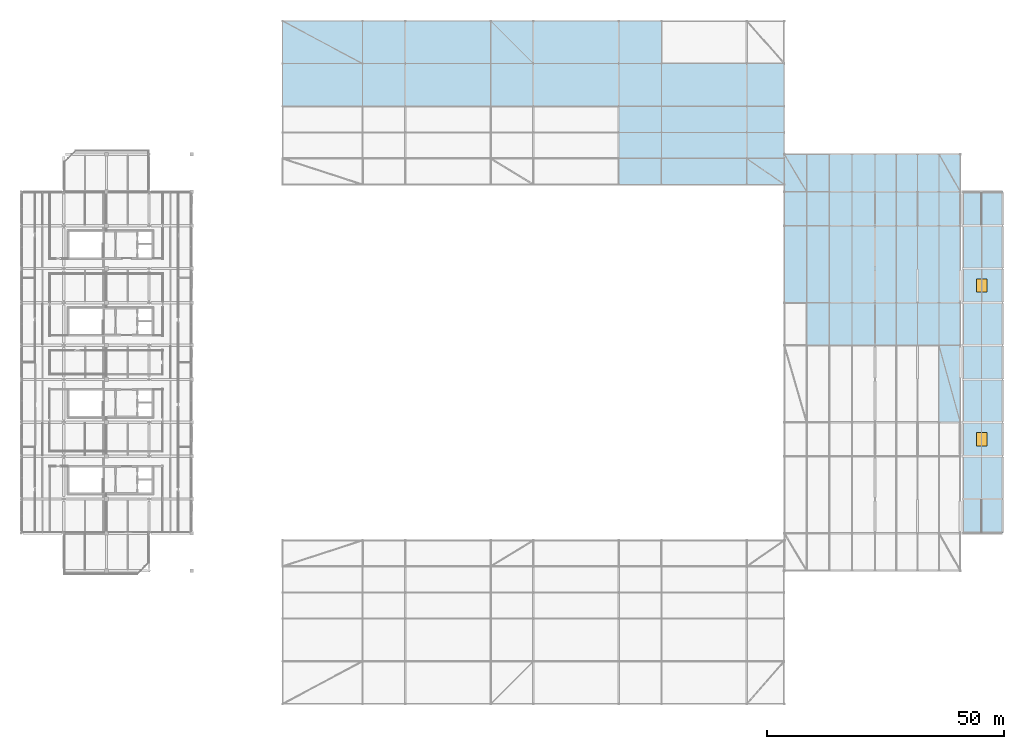
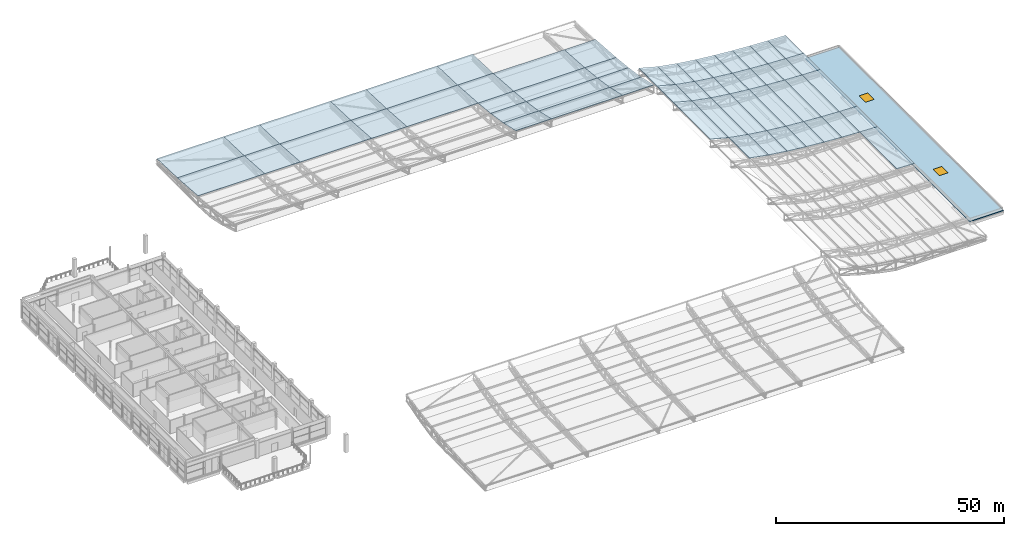
# One storey, part 90 of 114: 56 slabs, 2 windows, 2 openings.
"""IFC4 building model written with IfcOpenShell, lengths in metres."""

from ifc_helpers import new_model, si_unit, direction, frame, origin, origin_2d, place, context, subcontext, project, spatial, polyline, rectangle, outline, extrude, material, layer, layer_set, type_object, element, fill, save


model = new_model("IFC4")

# Units and contexts
model_context = context("Model", 3, precision=1e-05, world=origin(), true_north=direction((0.0, 1.0)))
body_context = subcontext(model_context, "Body", "Model", "MODEL_VIEW")
ifc_project = project(units=[si_unit("LENGTHUNIT", "METRE"), si_unit("AREAUNIT", "SQUARE_METRE"), si_unit("VOLUMEUNIT", "CUBIC_METRE"), si_unit("PLANEANGLEUNIT", "RADIAN"), si_unit("MASSUNIT", "GRAM", prefix="KILO"), si_unit("THERMODYNAMICTEMPERATUREUNIT", "KELVIN"), si_unit("POWERUNIT", "WATT")], contexts=[model_context])

# Site, building, storey
site_placement = place(None, origin())
site = spatial("IfcSite", under=ifc_project, at=site_placement, CompositionType="ELEMENT")
building_placement = place(site_placement, origin())
building = spatial("IfcBuilding", under=site, at=building_placement, Name="Sindhuravela Promenade Stadium", CompositionType="ELEMENT")
storey_placement = place(building_placement, frame((0.0, 0.0, 24.0)))
storey = spatial("IfcBuildingStorey", under=building, at=storey_placement, Name="L05", CompositionType="ELEMENT", Elevation=24.0)

# Slabs
ifc_material_1 = material(Name="Concrete M40", Category="concrete")
ifc_layer_1 = layer(ifc_material_1, 0.1298828125)
ifc_layer_set_1 = layer_set([ifc_layer_1], Name="Concrete M40")
slab_type_1 = type_object("IfcSlabType", Name="SL-CAN-130", PredefinedType="ROOF", material=ifc_layer_set_1)
slab_1_placement = place(storey_placement, frame((55.10009765625, 153.0, 1.465087890625), z_axis=(0.0, 0.03629876236799083, 0.9993409827734235), x_axis=(1.0, 0.0, 0.0)))
element("IfcSlab", 1, at=slab_1_placement, inside=storey, type_object=slab_type_1, Name="Stand canopy roof slab N bay 1.1", PredefinedType="ROOF", context=body_context, shape_type="SweptSolid", body=[
    extrude(outline(polyline([(0.0, 0.0), (0.0, -9.005935066350151), (16.89990234375, -9.005935066350151), (16.89990234375, 0.0), (0.0, 0.0)])), origin(), (0.0, 0.0, -1.0), 0.1298828125),
])
slab_2_placement = place(storey_placement, frame((55.10009765625, 144.0, 1.7919921875), z_axis=(0.0, 0.07051629490820784, 0.9975106275887082), x_axis=(1.0, 0.0, 0.0)))
element("IfcSlab", 2, at=slab_2_placement, inside=storey, type_object=slab_type_1, Name="Stand canopy roof slab N bay 1.2", PredefinedType="ROOF", context=body_context, shape_type="SweptSolid", body=[
    extrude(outline(polyline([(0.0, 0.0), (0.0, -9.022460263662337), (16.89990234375, -9.022460263662337), (16.89990234375, 0.0), (0.0, 0.0)])), origin(), (0.0, 0.0, -1.0), 0.1298828125),
])
slab_3_placement = place(storey_placement, frame((72.0, 153.0, 1.465087890625), z_axis=(0.0, 0.03629876236799083, 0.9993409827734235), x_axis=(1.0, 0.0, 0.0)))
element("IfcSlab", 3, at=slab_3_placement, inside=storey, type_object=slab_type_1, Name="Stand canopy roof slab N bay 2.1", PredefinedType="ROOF", context=body_context, shape_type="SweptSolid", body=[
    extrude(outline(polyline([(0.0, 0.0), (0.0, -9.005935066350151), (9.0, -9.005935066350151), (9.0, 0.0), (0.0, 0.0)])), origin(), (0.0, 0.0, -1.0), 0.1298828125),
])
slab_4_placement = place(storey_placement, frame((72.0, 144.0, 1.7919921875), z_axis=(0.0, 0.07051629490820784, 0.9975106275887082), x_axis=(1.0, 0.0, 0.0)))
element("IfcSlab", 4, at=slab_4_placement, inside=storey, type_object=slab_type_1, Name="Stand canopy roof slab N bay 2.2", PredefinedType="ROOF", context=body_context, shape_type="SweptSolid", body=[
    extrude(outline(polyline([(0.0, 0.0), (0.0, -9.022460263662337), (9.0, -9.022460263662337), (9.0, 0.0), (0.0, 0.0)])), origin(), (0.0, 0.0, -1.0), 0.1298828125),
])
slab_5_placement = place(storey_placement, frame((81.0, 153.0, 1.465087890625), z_axis=(0.0, 0.03629876236799083, 0.9993409827734235), x_axis=(1.0, 0.0, 0.0)))
element("IfcSlab", 5, at=slab_5_placement, inside=storey, type_object=slab_type_1, Name="Stand canopy roof slab N bay 3.1", PredefinedType="ROOF", context=body_context, shape_type="SweptSolid", body=[
    extrude(outline(polyline([(0.0, 0.0), (0.0, -9.005935066350151), (18.0, -9.005935066350151), (18.0, 0.0), (0.0, 0.0)])), origin(), (0.0, 0.0, -1.0), 0.1298828125),
])
slab_6_placement = place(storey_placement, frame((81.0, 144.0, 1.7919921875), z_axis=(0.0, 0.07051629490820784, 0.9975106275887082), x_axis=(1.0, 0.0, 0.0)))
element("IfcSlab", 6, at=slab_6_placement, inside=storey, type_object=slab_type_1, Name="Stand canopy roof slab N bay 3.2", PredefinedType="ROOF", context=body_context, shape_type="SweptSolid", body=[
    extrude(outline(polyline([(0.0, 0.0), (0.0, -9.022460263662337), (18.0, -9.022460263662337), (18.0, 0.0), (0.0, 0.0)])), origin(), (0.0, 0.0, -1.0), 0.1298828125),
])
slab_7_placement = place(storey_placement, frame((99.0, 153.0, 1.465087890625), z_axis=(0.0, 0.03629876236799083, 0.9993409827734235), x_axis=(1.0, 0.0, 0.0)))
element("IfcSlab", 7, at=slab_7_placement, inside=storey, type_object=slab_type_1, Name="Stand canopy roof slab N bay 4.1", PredefinedType="ROOF", context=body_context, shape_type="SweptSolid", body=[
    extrude(outline(polyline([(0.0, 0.0), (0.0, -9.005935066350151), (9.0, -9.005935066350151), (9.0, 0.0), (0.0, 0.0)])), origin(), (0.0, 0.0, -1.0), 0.1298828125),
])
slab_8_placement = place(storey_placement, frame((99.0, 144.0, 1.7919921875), z_axis=(0.0, 0.07051629490820784, 0.9975106275887082), x_axis=(1.0, 0.0, 0.0)))
element("IfcSlab", 8, at=slab_8_placement, inside=storey, type_object=slab_type_1, Name="Stand canopy roof slab N bay 4.2", PredefinedType="ROOF", context=body_context, shape_type="SweptSolid", body=[
    extrude(outline(polyline([(0.0, 0.0), (0.0, -9.022460263662337), (9.0, -9.022460263662337), (9.0, 0.0), (0.0, 0.0)])), origin(), (0.0, 0.0, -1.0), 0.1298828125),
])
slab_9_placement = place(storey_placement, frame((108.0, 153.0, 1.465087890625), z_axis=(0.0, 0.03629876236799083, 0.9993409827734235), x_axis=(1.0, 0.0, 0.0)))
element("IfcSlab", 9, at=slab_9_placement, inside=storey, type_object=slab_type_1, Name="Stand canopy roof slab N bay 5.1", PredefinedType="ROOF", context=body_context, shape_type="SweptSolid", body=[
    extrude(outline(polyline([(0.0, 0.0), (0.0, -9.005935066350151), (18.0, -9.005935066350151), (18.0, 0.0), (0.0, 0.0)])), origin(), (0.0, 0.0, -1.0), 0.1298828125),
])
slab_10_placement = place(storey_placement, frame((108.0, 144.0, 1.7919921875), z_axis=(0.0, 0.07051629490820784, 0.9975106275887082), x_axis=(1.0, 0.0, 0.0)))
element("IfcSlab", 10, at=slab_10_placement, inside=storey, type_object=slab_type_1, Name="Stand canopy roof slab N bay 5.2", PredefinedType="ROOF", context=body_context, shape_type="SweptSolid", body=[
    extrude(outline(polyline([(0.0, 0.0), (0.0, -9.022460263662337), (18.0, -9.022460263662337), (18.0, 0.0), (0.0, 0.0)])), origin(), (0.0, 0.0, -1.0), 0.1298828125),
])
slab_11_placement = place(storey_placement, frame((126.0, 153.0, 1.465087890625), z_axis=(0.0, 0.03629876236799083, 0.9993409827734235), x_axis=(1.0, 0.0, 0.0)))
element("IfcSlab", 11, at=slab_11_placement, inside=storey, type_object=slab_type_1, Name="Stand canopy roof slab N bay 6.1", PredefinedType="ROOF", context=body_context, shape_type="SweptSolid", body=[
    extrude(outline(polyline([(0.0, 0.0), (0.0, -9.005935066350151), (9.0, -9.005935066350151), (9.0, 0.0), (0.0, 0.0)])), origin(), (0.0, 0.0, -1.0), 0.1298828125),
])
slab_12_placement = place(storey_placement, frame((126.0, 144.0, 1.7919921875), z_axis=(0.0, 0.07051629490820784, 0.9975106275887082), x_axis=(1.0, 0.0, 0.0)))
element("IfcSlab", 12, at=slab_12_placement, inside=storey, type_object=slab_type_1, Name="Stand canopy roof slab N bay 6.2", PredefinedType="ROOF", context=body_context, shape_type="SweptSolid", body=[
    extrude(outline(polyline([(0.0, 0.0), (0.0, -9.022460263662337), (9.0, -9.022460263662337), (9.0, 0.0), (0.0, 0.0)])), origin(), (0.0, 0.0, -1.0), 0.1298828125),
])
slab_13_placement = place(storey_placement, frame((126.0, 135.0, 2.42822265625), z_axis=(0.0, 0.1065455909441987, 0.9943078180575428), x_axis=(1.0, 0.0, 0.0)))
element("IfcSlab", 13, at=slab_13_placement, inside=storey, type_object=slab_type_1, Name="Stand canopy roof slab N bay 6.3", PredefinedType="ROOF", context=body_context, shape_type="SweptSolid", body=[
    extrude(outline(polyline([(0.0, 0.0), (0.0, -5.531486226010649), (9.0, -5.531486226010649), (9.0, 0.0), (0.0, 0.0)])), origin(), (0.0, 0.0, -1.0), 0.1298828125),
])
slab_14_placement = place(storey_placement, frame((126.0, 129.5, 3.017578125), z_axis=(0.0, 0.14687168523012892, 0.9891555530237203), x_axis=(1.0, 0.0, 0.0)))
element("IfcSlab", 14, at=slab_14_placement, inside=storey, type_object=slab_type_1, Name="Stand canopy roof slab N bay 6.4", PredefinedType="ROOF", context=body_context, shape_type="SweptSolid", body=[
    extrude(outline(polyline([(0.0, 0.0), (0.0, -5.560298360745398), (9.0, -5.560298360745398), (9.0, 0.0), (0.0, 0.0)])), origin(), (0.0, 0.0, -1.0), 0.1298828125),
])
slab_15_placement = place(storey_placement, frame((126.0, 124.0, 3.834228515625), z_axis=(0.0, 0.21836583135951027, 0.9758669805330386), x_axis=(1.0, 0.0, 0.0)))
element("IfcSlab", 15, at=slab_15_placement, inside=storey, type_object=slab_type_1, Name="Stand canopy roof slab N bay 6.5", PredefinedType="ROOF", context=body_context, shape_type="SweptSolid", body=[
    extrude(outline(polyline([(0.0, 0.0), (0.0, -5.636014036457906), (9.0, -5.636014036457906), (9.0, 0.0), (0.0, 0.0)])), origin(), (0.0, 0.0, -1.0), 0.1298828125),
])
slab_16_placement = place(storey_placement, frame((135.0, 144.0, 1.7919921875), z_axis=(0.0, 0.07051629490820784, 0.9975106275887082), x_axis=(1.0, 0.0, 0.0)))
element("IfcSlab", 16, at=slab_16_placement, inside=storey, type_object=slab_type_1, Name="Stand canopy roof slab N bay 7.2", PredefinedType="ROOF", context=body_context, shape_type="SweptSolid", body=[
    extrude(outline(polyline([(0.0, 0.0), (0.0, -9.022460263662337), (18.0, -9.022460263662337), (18.0, 0.0), (0.0, 0.0)])), origin(), (0.0, 0.0, -1.0), 0.1298828125),
])
slab_17_placement = place(storey_placement, frame((135.0, 135.0, 2.42822265625), z_axis=(0.0, 0.1065455909441987, 0.9943078180575428), x_axis=(1.0, 0.0, 0.0)))
element("IfcSlab", 17, at=slab_17_placement, inside=storey, type_object=slab_type_1, Name="Stand canopy roof slab N bay 7.3", PredefinedType="ROOF", context=body_context, shape_type="SweptSolid", body=[
    extrude(outline(polyline([(0.0, 0.0), (0.0, -5.531486226010649), (18.0, -5.531486226010649), (18.0, 0.0), (0.0, 0.0)])), origin(), (0.0, 0.0, -1.0), 0.1298828125),
])
slab_18_placement = place(storey_placement, frame((135.0, 129.5, 3.017578125), z_axis=(0.0, 0.14687168523012892, 0.9891555530237203), x_axis=(1.0, 0.0, 0.0)))
element("IfcSlab", 18, at=slab_18_placement, inside=storey, type_object=slab_type_1, Name="Stand canopy roof slab N bay 7.4", PredefinedType="ROOF", context=body_context, shape_type="SweptSolid", body=[
    extrude(outline(polyline([(0.0, 0.0), (0.0, -5.560298360745398), (18.0, -5.560298360745398), (18.0, 0.0), (0.0, 0.0)])), origin(), (0.0, 0.0, -1.0), 0.1298828125),
])
slab_19_placement = place(storey_placement, frame((135.0, 124.0, 3.834228515625), z_axis=(0.0, 0.21836583135951027, 0.9758669805330386), x_axis=(1.0, 0.0, 0.0)))
element("IfcSlab", 19, at=slab_19_placement, inside=storey, type_object=slab_type_1, Name="Stand canopy roof slab N bay 7.5", PredefinedType="ROOF", context=body_context, shape_type="SweptSolid", body=[
    extrude(outline(polyline([(0.0, 0.0), (0.0, -5.636014036457906), (18.0, -5.636014036457906), (18.0, 0.0), (0.0, 0.0)])), origin(), (0.0, 0.0, -1.0), 0.1298828125),
])
slab_20_placement = place(storey_placement, frame((153.0, 144.0, 1.7919921875), z_axis=(0.0, 0.07051629490820784, 0.9975106275887082), x_axis=(1.0, 0.0, 0.0)))
element("IfcSlab", 20, at=slab_20_placement, inside=storey, type_object=slab_type_1, Name="Stand canopy roof slab N bay 8.2", PredefinedType="ROOF", context=body_context, shape_type="SweptSolid", body=[
    extrude(outline(polyline([(0.0, 0.0), (0.0, -9.022460263662337), (7.89990234375, -9.022460263662337), (7.89990234375, 0.0), (0.0, 0.0)])), origin(), (0.0, 0.0, -1.0), 0.1298828125),
])
slab_21_placement = place(storey_placement, frame((153.0, 135.0, 2.42822265625), z_axis=(0.0, 0.10654559094419869, 0.9943078180575426), x_axis=(1.0, 0.0, 0.0)))
element("IfcSlab", 21, at=slab_21_placement, inside=storey, type_object=slab_type_1, Name="Stand canopy roof slab N bay 8.3", PredefinedType="ROOF", context=body_context, shape_type="SweptSolid", body=[
    extrude(outline(polyline([(0.0, 0.0), (0.0, -5.5314862260106485), (7.89990234375, -5.5314862260106485), (7.89990234375, 0.0), (0.0, 0.0)])), origin(), (0.0, 0.0, -1.0), 0.1298828125),
])
slab_22_placement = place(storey_placement, frame((153.0, 129.5, 3.017578125), z_axis=(0.0, 0.14687168523012892, 0.9891555530237204), x_axis=(1.0, 0.0, 0.0)))
element("IfcSlab", 22, at=slab_22_placement, inside=storey, type_object=slab_type_1, Name="Stand canopy roof slab N bay 8.4", PredefinedType="ROOF", context=body_context, shape_type="SweptSolid", body=[
    extrude(outline(polyline([(0.0, 0.0), (0.0, -5.560298360745398), (7.89990234375, -5.560298360745398), (7.89990234375, 0.0), (0.0, 0.0)])), origin(), (0.0, 0.0, -1.0), 0.1298828125),
])
slab_23_placement = place(storey_placement, frame((153.0, 124.0, 3.834228515625), z_axis=(0.0, 0.21836583135951027, 0.9758669805330386), x_axis=(1.0, 0.0, 0.0)))
element("IfcSlab", 23, at=slab_23_placement, inside=storey, type_object=slab_type_1, Name="Stand canopy roof slab N bay 8.5", PredefinedType="ROOF", context=body_context, shape_type="SweptSolid", body=[
    extrude(outline(polyline([(0.0, 0.0), (0.0, -5.636014036457906), (7.89990234375, -5.636014036457906), (7.89990234375, 0.0), (0.0, 0.0)])), origin(), (0.0, 0.0, -1.0), 0.1298828125),
])
ifc_layer_2 = layer(ifc_material_1, 0.14990234375)
ifc_layer_set_2 = layer_set([ifc_layer_2], Name="Concrete M40")
slab_type_2 = type_object("IfcSlabType", Name="SL-CAN-150", PredefinedType="ROOF", material=ifc_layer_set_2)
slab_24_placement = place(storey_placement, frame((198.0, 68.39990234375, 1.485107421875), z_axis=(0.029013388526599376, 0.0, 0.9995790230322986), x_axis=(0.0, 1.0, 0.0)))
element("IfcSlab", 24, at=slab_24_placement, inside=storey, type_object=slab_type_2, Name="Stand canopy roof slab E bay 4.1", PredefinedType="ROOF", context=body_context, shape_type="SweptSolid", body=[
    extrude(outline(polyline([(0.0, 0.0), (16.2001953125, 0.0), (16.2001953125, 4.5018951941877585), (0.0, 4.5018951941877585), (0.0, 0.0)])), origin(), (0.0, 0.0, -1.0), 0.14990234375),
])
slab_25_placement = place(storey_placement, frame((198.0, 84.60009765625, 1.485107421875), z_axis=(0.02901338852659938, 0.0, 0.9995790230322986), x_axis=(0.0, 1.0, 0.0)))
element("IfcSlab", 25, at=slab_25_placement, inside=storey, type_object=slab_type_2, Name="Stand canopy roof slab E bay 5.1", PredefinedType="ROOF", context=body_context, shape_type="SweptSolid", body=[
    extrude(outline(polyline([(0.0, 0.0), (9.0, 0.0), (9.0, 4.5018951941877585), (0.0, 4.5018951941877585), (0.0, 0.0)])), origin(), (0.0, 0.0, -1.0), 0.14990234375),
])
slab_26_placement = place(storey_placement, frame((193.5, 84.60009765625, 1.61572265625), z_axis=(0.04401113308380376, 0.0, 0.9990310406412204), x_axis=(0.0, 1.0, 0.0)))
element("IfcSlab", 26, at=slab_26_placement, inside=storey, type_object=slab_type_2, Name="Stand canopy roof slab E bay 5.2", PredefinedType="ROOF", context=body_context, shape_type="SweptSolid", body=[
    extrude(outline(polyline([(0.0, 0.0), (9.0, 0.0), (9.0, 4.504364546182379), (0.0, 4.504364546182379), (0.0, 0.0)])), origin(), (0.0, 0.0, -1.0), 0.14990234375),
])
slab_27_placement = place(storey_placement, frame((189.0, 84.60009765625, 1.81396484375), z_axis=(0.060436199081064255, 0.0, 0.9981720622420935), x_axis=(0.0, 1.0, 0.0)))
element("IfcSlab", 27, at=slab_27_placement, inside=storey, type_object=slab_type_2, Name="Stand canopy roof slab E bay 5.3", PredefinedType="ROOF", context=body_context, shape_type="SweptSolid", body=[
    extrude(outline(polyline([(0.0, 0.0), (9.0, 0.0), (9.0, 4.508240783549985), (0.0, 4.508240783549985), (0.0, 0.0)])), origin(), (0.0, 0.0, -1.0), 0.14990234375),
])
slab_28_placement = place(storey_placement, frame((184.5, 84.60009765625, 2.08642578125), z_axis=(0.07896274138457582, 0.0, 0.9968775679455489), x_axis=(0.0, 1.0, 0.0)))
element("IfcSlab", 28, at=slab_28_placement, inside=storey, type_object=slab_type_2, Name="Stand canopy roof slab E bay 5.4", PredefinedType="ROOF", context=body_context, shape_type="SweptSolid", body=[
    extrude(outline(polyline([(0.0, 0.0), (9.0, 0.0), (9.0, 4.514094954783652), (0.0, 4.514094954783652), (0.0, 0.0)])), origin(), (0.0, 0.0, -1.0), 0.14990234375),
])
slab_29_placement = place(storey_placement, frame((180.0, 84.60009765625, 2.44287109375), z_axis=(0.10185297386452326, 0.0, 0.9947994630652716), x_axis=(0.0, 1.0, 0.0)))
element("IfcSlab", 29, at=slab_29_placement, inside=storey, type_object=slab_type_2, Name="Stand canopy roof slab E bay 5.5", PredefinedType="ROOF", context=body_context, shape_type="SweptSolid", body=[
    extrude(outline(polyline([(0.0, 0.0), (9.0, 0.0), (9.0, 4.825142158133689), (0.0, 4.825142158133689), (0.0, 0.0)])), origin(), (0.0, 0.0, -1.0), 0.14990234375),
])
slab_30_placement = place(storey_placement, frame((175.199951171875, 84.60009765625, 2.934326171875), z_axis=(0.13228920638354172, 0.0, 0.9912111610925357), x_axis=(0.0, 1.0, 0.0)))
element("IfcSlab", 30, at=slab_30_placement, inside=storey, type_object=slab_type_2, Name="Stand canopy roof slab E bay 5.6", PredefinedType="ROOF", context=body_context, shape_type="SweptSolid", body=[
    extrude(outline(polyline([(0.0, 0.0), (9.0, 0.0), (9.0, 4.842609745066103), (0.0, 4.842609745066103), (0.0, 0.0)])), origin(), (0.0, 0.0, -1.0), 0.14990234375),
])
slab_31_placement = place(storey_placement, frame((170.39990234375, 84.60009765625, 3.574951171875), z_axis=(0.17653223173388985, 0.0, 0.9842948598662151), x_axis=(0.0, 1.0, 0.0)))
element("IfcSlab", 31, at=slab_31_placement, inside=storey, type_object=slab_type_2, Name="Stand canopy roof slab E bay 5.7", PredefinedType="ROOF", context=body_context, shape_type="SweptSolid", body=[
    extrude(outline(polyline([(0.0, 0.0), (9.0, 0.0), (9.0, 4.876389061050656), (0.0, 4.876389061050656), (0.0, 0.0)])), origin(), (0.0, 0.0, -1.0), 0.14990234375),
])
slab_32_placement = place(storey_placement, frame((198.0, 93.60009765625, 1.485107421875), z_axis=(0.029013388526599376, 0.0, 0.9995790230322985), x_axis=(0.0, 1.0, 0.0)))
element("IfcSlab", 32, at=slab_32_placement, inside=storey, type_object=slab_type_2, Name="Stand canopy roof slab E bay 6.1", PredefinedType="ROOF", context=body_context, shape_type="SweptSolid", body=[
    extrude(outline(polyline([(0.0, 0.0), (16.199951171875, 0.0), (16.199951171875, 4.501895194187758), (0.0, 4.501895194187758), (0.0, 0.0)])), origin(), (0.0, 0.0, -1.0), 0.14990234375),
])
slab_33_placement = place(storey_placement, frame((193.5, 93.60009765625, 1.61572265625), z_axis=(0.044011133083803756, 0.0, 0.9990310406412203), x_axis=(0.0, 1.0, 0.0)))
element("IfcSlab", 33, at=slab_33_placement, inside=storey, type_object=slab_type_2, Name="Stand canopy roof slab E bay 6.2", PredefinedType="ROOF", context=body_context, shape_type="SweptSolid", body=[
    extrude(outline(polyline([(0.0, 0.0), (16.199951171875, 0.0), (16.199951171875, 4.504364546182378), (0.0, 4.504364546182378), (0.0, 0.0)])), origin(), (0.0, 0.0, -1.0), 0.14990234375),
])
slab_34_placement = place(storey_placement, frame((189.0, 93.60009765625, 1.81396484375), z_axis=(0.060436199081064255, 0.0, 0.9981720622420935), x_axis=(0.0, 1.0, 0.0)))
element("IfcSlab", 34, at=slab_34_placement, inside=storey, type_object=slab_type_2, Name="Stand canopy roof slab E bay 6.3", PredefinedType="ROOF", context=body_context, shape_type="SweptSolid", body=[
    extrude(outline(polyline([(0.0, 0.0), (16.199951171875, 0.0), (16.199951171875, 4.508240783549985), (0.0, 4.508240783549985), (0.0, 0.0)])), origin(), (0.0, 0.0, -1.0), 0.14990234375),
])
slab_35_placement = place(storey_placement, frame((184.5, 93.60009765625, 2.08642578125), z_axis=(0.07896274138457582, 0.0, 0.996877567945549), x_axis=(0.0, 1.0, 0.0)))
element("IfcSlab", 35, at=slab_35_placement, inside=storey, type_object=slab_type_2, Name="Stand canopy roof slab E bay 6.4", PredefinedType="ROOF", context=body_context, shape_type="SweptSolid", body=[
    extrude(outline(polyline([(0.0, 0.0), (16.199951171875, 0.0), (16.199951171875, 4.514094954783653), (0.0, 4.514094954783653), (0.0, 0.0)])), origin(), (0.0, 0.0, -1.0), 0.14990234375),
])
slab_36_placement = place(storey_placement, frame((180.0, 93.60009765625, 2.44287109375), z_axis=(0.10185297386452324, 0.0, 0.9947994630652716), x_axis=(0.0, 1.0, 0.0)))
element("IfcSlab", 36, at=slab_36_placement, inside=storey, type_object=slab_type_2, Name="Stand canopy roof slab E bay 6.5", PredefinedType="ROOF", context=body_context, shape_type="SweptSolid", body=[
    extrude(outline(polyline([(0.0, 0.0), (16.199951171875, 0.0), (16.199951171875, 4.825142158133689), (0.0, 4.825142158133689), (0.0, 0.0)])), origin(), (0.0, 0.0, -1.0), 0.14990234375),
])
slab_37_placement = place(storey_placement, frame((175.199951171875, 93.60009765625, 2.934326171875), z_axis=(0.1322892063835417, 0.0, 0.9912111610925356), x_axis=(0.0, 1.0, 0.0)))
element("IfcSlab", 37, at=slab_37_placement, inside=storey, type_object=slab_type_2, Name="Stand canopy roof slab E bay 6.6", PredefinedType="ROOF", context=body_context, shape_type="SweptSolid", body=[
    extrude(outline(polyline([(0.0, 0.0), (16.199951171875, 0.0), (16.199951171875, 4.8426097450661025), (0.0, 4.8426097450661025), (0.0, 0.0)])), origin(), (0.0, 0.0, -1.0), 0.14990234375),
])
slab_38_placement = place(storey_placement, frame((170.39990234375, 93.60009765625, 3.574951171875), z_axis=(0.17653223173388985, 0.0, 0.9842948598662151), x_axis=(0.0, 1.0, 0.0)))
element("IfcSlab", 38, at=slab_38_placement, inside=storey, type_object=slab_type_2, Name="Stand canopy roof slab E bay 6.7", PredefinedType="ROOF", context=body_context, shape_type="SweptSolid", body=[
    extrude(outline(polyline([(0.0, 0.0), (16.199951171875, 0.0), (16.199951171875, 4.876389061050656), (0.0, 4.876389061050656), (0.0, 0.0)])), origin(), (0.0, 0.0, -1.0), 0.14990234375),
])
slab_39_placement = place(storey_placement, frame((165.60009765625, 93.60009765625, 4.435791015625), z_axis=(0.2568720746349965, 0.0, 0.9664454134987206), x_axis=(0.0, 1.0, 0.0)))
element("IfcSlab", 39, at=slab_39_placement, inside=storey, type_object=slab_type_2, Name="Stand canopy roof slab E bay 6.8", PredefinedType="ROOF", context=body_context, shape_type="SweptSolid", body=[
    extrude(outline(polyline([(0.0, 0.0), (16.199951171875, 0.0), (16.199951171875, 4.863384156881017), (0.0, 4.863384156881017), (0.0, 0.0)])), origin(), (0.0, 0.0, -1.0), 0.14990234375),
])
slab_40_placement = place(storey_placement, frame((198.0, 109.800048828125, 1.485107421875), z_axis=(0.02901338852659938, 0.0, 0.9995790230322986), x_axis=(0.0, 1.0, 0.0)))
element("IfcSlab", 40, at=slab_40_placement, inside=storey, type_object=slab_type_2, Name="Stand canopy roof slab E bay 7.1", PredefinedType="ROOF", context=body_context, shape_type="SweptSolid", body=[
    extrude(outline(polyline([(0.0, 0.0), (7.199951171875, 0.0), (7.199951171875, 4.5018951941877585), (0.0, 4.5018951941877585), (0.0, 0.0)])), origin(), (0.0, 0.0, -1.0), 0.14990234375),
])
slab_41_placement = place(storey_placement, frame((193.5, 109.800048828125, 1.61572265625), z_axis=(0.04401113308380376, 0.0, 0.9990310406412204), x_axis=(0.0, 1.0, 0.0)))
element("IfcSlab", 41, at=slab_41_placement, inside=storey, type_object=slab_type_2, Name="Stand canopy roof slab E bay 7.2", PredefinedType="ROOF", context=body_context, shape_type="SweptSolid", body=[
    extrude(outline(polyline([(0.0, 0.0), (7.199951171875, 0.0), (7.199951171875, 4.504364546182379), (0.0, 4.504364546182379), (0.0, 0.0)])), origin(), (0.0, 0.0, -1.0), 0.14990234375),
])
slab_42_placement = place(storey_placement, frame((189.0, 109.800048828125, 1.81396484375), z_axis=(0.060436199081064255, 0.0, 0.9981720622420935), x_axis=(0.0, 1.0, 0.0)))
element("IfcSlab", 42, at=slab_42_placement, inside=storey, type_object=slab_type_2, Name="Stand canopy roof slab E bay 7.3", PredefinedType="ROOF", context=body_context, shape_type="SweptSolid", body=[
    extrude(outline(polyline([(0.0, 0.0), (7.199951171875, 0.0), (7.199951171875, 4.508240783549985), (0.0, 4.508240783549985), (0.0, 0.0)])), origin(), (0.0, 0.0, -1.0), 0.14990234375),
])
slab_43_placement = place(storey_placement, frame((184.5, 109.800048828125, 2.08642578125), z_axis=(0.07896274138457582, 0.0, 0.9968775679455489), x_axis=(0.0, 1.0, 0.0)))
element("IfcSlab", 43, at=slab_43_placement, inside=storey, type_object=slab_type_2, Name="Stand canopy roof slab E bay 7.4", PredefinedType="ROOF", context=body_context, shape_type="SweptSolid", body=[
    extrude(outline(polyline([(0.0, 0.0), (7.199951171875, 0.0), (7.199951171875, 4.514094954783652), (0.0, 4.514094954783652), (0.0, 0.0)])), origin(), (0.0, 0.0, -1.0), 0.14990234375),
])
slab_44_placement = place(storey_placement, frame((180.0, 109.800048828125, 2.44287109375), z_axis=(0.10185297386452326, 0.0, 0.9947994630652717), x_axis=(0.0, 1.0, 0.0)))
element("IfcSlab", 44, at=slab_44_placement, inside=storey, type_object=slab_type_2, Name="Stand canopy roof slab E bay 7.5", PredefinedType="ROOF", context=body_context, shape_type="SweptSolid", body=[
    extrude(outline(polyline([(0.0, 0.0), (7.199951171875, 0.0), (7.199951171875, 4.82514215813369), (0.0, 4.82514215813369), (0.0, 0.0)])), origin(), (0.0, 0.0, -1.0), 0.14990234375),
])
slab_45_placement = place(storey_placement, frame((175.199951171875, 109.800048828125, 2.934326171875), z_axis=(0.13228920638354172, 0.0, 0.9912111610925356), x_axis=(0.0, 1.0, 0.0)))
element("IfcSlab", 45, at=slab_45_placement, inside=storey, type_object=slab_type_2, Name="Stand canopy roof slab E bay 7.6", PredefinedType="ROOF", context=body_context, shape_type="SweptSolid", body=[
    extrude(outline(polyline([(0.0, 0.0), (7.199951171875, 0.0), (7.199951171875, 4.8426097450661025), (0.0, 4.8426097450661025), (0.0, 0.0)])), origin(), (0.0, 0.0, -1.0), 0.14990234375),
])
slab_46_placement = place(storey_placement, frame((170.39990234375, 109.800048828125, 3.574951171875), z_axis=(0.17653223173388988, 0.0, 0.9842948598662152), x_axis=(0.0, 1.0, 0.0)))
element("IfcSlab", 46, at=slab_46_placement, inside=storey, type_object=slab_type_2, Name="Stand canopy roof slab E bay 7.7", PredefinedType="ROOF", context=body_context, shape_type="SweptSolid", body=[
    extrude(outline(polyline([(0.0, 0.0), (7.199951171875, 0.0), (7.199951171875, 4.876389061050656), (0.0, 4.876389061050656), (0.0, 0.0)])), origin(), (0.0, 0.0, -1.0), 0.14990234375),
])
slab_47_placement = place(storey_placement, frame((165.60009765625, 109.800048828125, 4.435791015625), z_axis=(0.2568720746349965, 0.0, 0.9664454134987205), x_axis=(0.0, 1.0, 0.0)))
element("IfcSlab", 47, at=slab_47_placement, inside=storey, type_object=slab_type_2, Name="Stand canopy roof slab E bay 7.8", PredefinedType="ROOF", context=body_context, shape_type="SweptSolid", body=[
    extrude(outline(polyline([(0.0, 0.0), (7.199951171875, 0.0), (7.199951171875, 4.8633841568810166), (0.0, 4.8633841568810166), (0.0, 0.0)])), origin(), (0.0, 0.0, -1.0), 0.14990234375),
])
slab_48_placement = place(storey_placement, frame((198.0, 117.0, 1.485107421875), z_axis=(0.029013388526599376, 0.0, 0.9995790230322985), x_axis=(0.0, 1.0, 0.0)))
element("IfcSlab", 48, at=slab_48_placement, inside=storey, type_object=slab_type_2, Name="Stand canopy roof slab E bay 8.1", PredefinedType="ROOF", context=body_context, shape_type="SweptSolid", body=[
    extrude(outline(polyline([(0.0, 0.0), (7.89990234375, 0.0), (7.89990234375, 4.501895194187758), (0.0, 4.501895194187758), (0.0, 0.0)])), origin(), (0.0, 0.0, -1.0), 0.14990234375),
])
slab_49_placement = place(storey_placement, frame((193.5, 117.0, 1.61572265625), z_axis=(0.044011133083803756, 0.0, 0.9990310406412203), x_axis=(0.0, 1.0, 0.0)))
element("IfcSlab", 49, at=slab_49_placement, inside=storey, type_object=slab_type_2, Name="Stand canopy roof slab E bay 8.2", PredefinedType="ROOF", context=body_context, shape_type="SweptSolid", body=[
    extrude(outline(polyline([(0.0, 0.0), (7.89990234375, 0.0), (7.89990234375, 4.504364546182378), (0.0, 4.504364546182378), (0.0, 0.0)])), origin(), (0.0, 0.0, -1.0), 0.14990234375),
])
slab_50_placement = place(storey_placement, frame((189.0, 117.0, 1.81396484375), z_axis=(0.060436199081064255, 0.0, 0.9981720622420935), x_axis=(0.0, 1.0, 0.0)))
element("IfcSlab", 50, at=slab_50_placement, inside=storey, type_object=slab_type_2, Name="Stand canopy roof slab E bay 8.3", PredefinedType="ROOF", context=body_context, shape_type="SweptSolid", body=[
    extrude(outline(polyline([(0.0, 0.0), (7.89990234375, 0.0), (7.89990234375, 4.508240783549985), (0.0, 4.508240783549985), (0.0, 0.0)])), origin(), (0.0, 0.0, -1.0), 0.14990234375),
])
slab_51_placement = place(storey_placement, frame((184.5, 117.0, 2.08642578125), z_axis=(0.07896274138457582, 0.0, 0.996877567945549), x_axis=(0.0, 1.0, 0.0)))
element("IfcSlab", 51, at=slab_51_placement, inside=storey, type_object=slab_type_2, Name="Stand canopy roof slab E bay 8.4", PredefinedType="ROOF", context=body_context, shape_type="SweptSolid", body=[
    extrude(outline(polyline([(0.0, 0.0), (7.89990234375, 0.0), (7.89990234375, 4.514094954783653), (0.0, 4.514094954783653), (0.0, 0.0)])), origin(), (0.0, 0.0, -1.0), 0.14990234375),
])
slab_52_placement = place(storey_placement, frame((180.0, 117.0, 2.44287109375), z_axis=(0.10185297386452327, 0.0, 0.9947994630652717), x_axis=(0.0, 1.0, 0.0)))
element("IfcSlab", 52, at=slab_52_placement, inside=storey, type_object=slab_type_2, Name="Stand canopy roof slab E bay 8.5", PredefinedType="ROOF", context=body_context, shape_type="SweptSolid", body=[
    extrude(outline(polyline([(0.0, 0.0), (7.89990234375, 0.0), (7.89990234375, 4.82514215813369), (0.0, 4.82514215813369), (0.0, 0.0)])), origin(), (0.0, 0.0, -1.0), 0.14990234375),
])
slab_53_placement = place(storey_placement, frame((175.199951171875, 117.0, 2.934326171875), z_axis=(0.13228920638354172, 0.0, 0.9912111610925357), x_axis=(0.0, 1.0, 0.0)))
element("IfcSlab", 53, at=slab_53_placement, inside=storey, type_object=slab_type_2, Name="Stand canopy roof slab E bay 8.6", PredefinedType="ROOF", context=body_context, shape_type="SweptSolid", body=[
    extrude(outline(polyline([(0.0, 0.0), (7.89990234375, 0.0), (7.89990234375, 4.842609745066103), (0.0, 4.842609745066103), (0.0, 0.0)])), origin(), (0.0, 0.0, -1.0), 0.14990234375),
])
slab_54_placement = place(storey_placement, frame((170.39990234375, 117.0, 3.574951171875), z_axis=(0.17653223173388988, 0.0, 0.9842948598662152), x_axis=(0.0, 1.0, 0.0)))
element("IfcSlab", 54, at=slab_54_placement, inside=storey, type_object=slab_type_2, Name="Stand canopy roof slab E bay 8.7", PredefinedType="ROOF", context=body_context, shape_type="SweptSolid", body=[
    extrude(outline(polyline([(0.0, 0.0), (7.89990234375, 0.0), (7.89990234375, 4.876389061050656), (0.0, 4.876389061050656), (0.0, 0.0)])), origin(), (0.0, 0.0, -1.0), 0.14990234375),
])
slab_55_placement = place(storey_placement, frame((165.60009765625, 117.0, 4.435791015625), z_axis=(0.2568720746349965, 0.0, 0.9664454134987204), x_axis=(0.0, 1.0, 0.0)))
element("IfcSlab", 55, at=slab_55_placement, inside=storey, type_object=slab_type_2, Name="Stand canopy roof slab E bay 8.8", PredefinedType="ROOF", context=body_context, shape_type="SweptSolid", body=[
    extrude(outline(polyline([(0.0, 0.0), (7.89990234375, 0.0), (7.89990234375, 4.8633841568810166), (0.0, 4.8633841568810166), (0.0, 0.0)])), origin(), (0.0, 0.0, -1.0), 0.14990234375),
])

# Slab, openings, windows
ifc_layer_3 = layer(ifc_material_1, 0.2451171875)
ifc_layer_set_3 = layer_set([ifc_layer_3], Name="Concrete M40")
slab_type_3 = type_object("IfcSlabType", Name="SL-ROF-210", PredefinedType="ROOF", material=ifc_layer_set_3)
slab_56_placement = place(storey_placement, frame((0.0, 0.0, -0.2451171875)))
slab_56 = element("IfcSlab", 56, at=slab_56_placement, inside=storey, type_object=slab_type_3, Name="Main roof slab EAST L05", PredefinedType="ROOF", context=body_context, shape_type="SweptSolid", body=[
    extrude(outline(polyline([(198.449951171875, 45.0), (198.449951171875, 117.0), (207.0, 117.0), (207.0, 45.0), (198.449951171875, 45.0)])), origin(), (0.0, 0.0, 1.0), 0.2451171875),
])
opening_1_placement = place(slab_56_placement, frame((202.5, 64.800048828125, -0.010009765625)))
opening_1 = element("IfcOpeningElement", 57, at=opening_1_placement, cuts=slab_56, Name="Opening SK03", PredefinedType="OPENING", context=body_context, shape_type="SweptSolid", body=[
    extrude(rectangle(XDim=2.199951171875, YDim=2.800048828125, at=origin_2d()), origin(), (0.0, 0.0, 1.0), 0.26513671875),
])
opening_2_placement = place(slab_56_placement, frame((202.5, 97.199951171875, -0.010009765625)))
opening_2 = element("IfcOpeningElement", 58, at=opening_2_placement, cuts=slab_56, Name="Opening SK03", PredefinedType="OPENING", context=body_context, shape_type="SweptSolid", body=[
    extrude(rectangle(XDim=2.199951171875, YDim=2.800048828125, at=origin_2d()), origin(), (0.0, 0.0, 1.0), 0.26513671875),
])
ifc_material_2 = material(Name="Tempered laminated low-E glass", Category="glass")
window_type = type_object("IfcWindowType", Name="WN-SKY-2200x2800", PartitioningType="SINGLE_PANEL", PredefinedType="SKYLIGHT", material=ifc_material_2)
window_1_placement = place(slab_56_placement, frame((202.5, 64.800048828125, 0.195068359375)))
window_1 = element("IfcWindow", 59, at=window_1_placement, inside=storey, type_object=window_type, Name="Concourse roof skylight SK03-03", OverallHeight=2.800048828125, OverallWidth=2.199951171875, PartitioningType="SINGLE_PANEL", PredefinedType="SKYLIGHT", context=body_context, shape_type="SweptSolid", body=[
    extrude(rectangle(XDim=2.199951171875, YDim=2.800048828125, at=origin_2d()), origin(), (0.0, 0.0, 1.0), 0.050048828125),
])
fill(opening_1, window_1)
window_2_placement = place(slab_56_placement, frame((202.5, 97.199951171875, 0.195068359375)))
window_2 = element("IfcWindow", 60, at=window_2_placement, inside=storey, type_object=window_type, Name="Concourse roof skylight SK03-04", OverallHeight=2.800048828125, OverallWidth=2.199951171875, PartitioningType="SINGLE_PANEL", PredefinedType="SKYLIGHT", context=body_context, shape_type="SweptSolid", body=[
    extrude(rectangle(XDim=2.199951171875, YDim=2.800048828125, at=origin_2d()), origin(), (0.0, 0.0, 1.0), 0.050048828125),
])
fill(opening_2, window_2)

save(model, "model.ifc")
